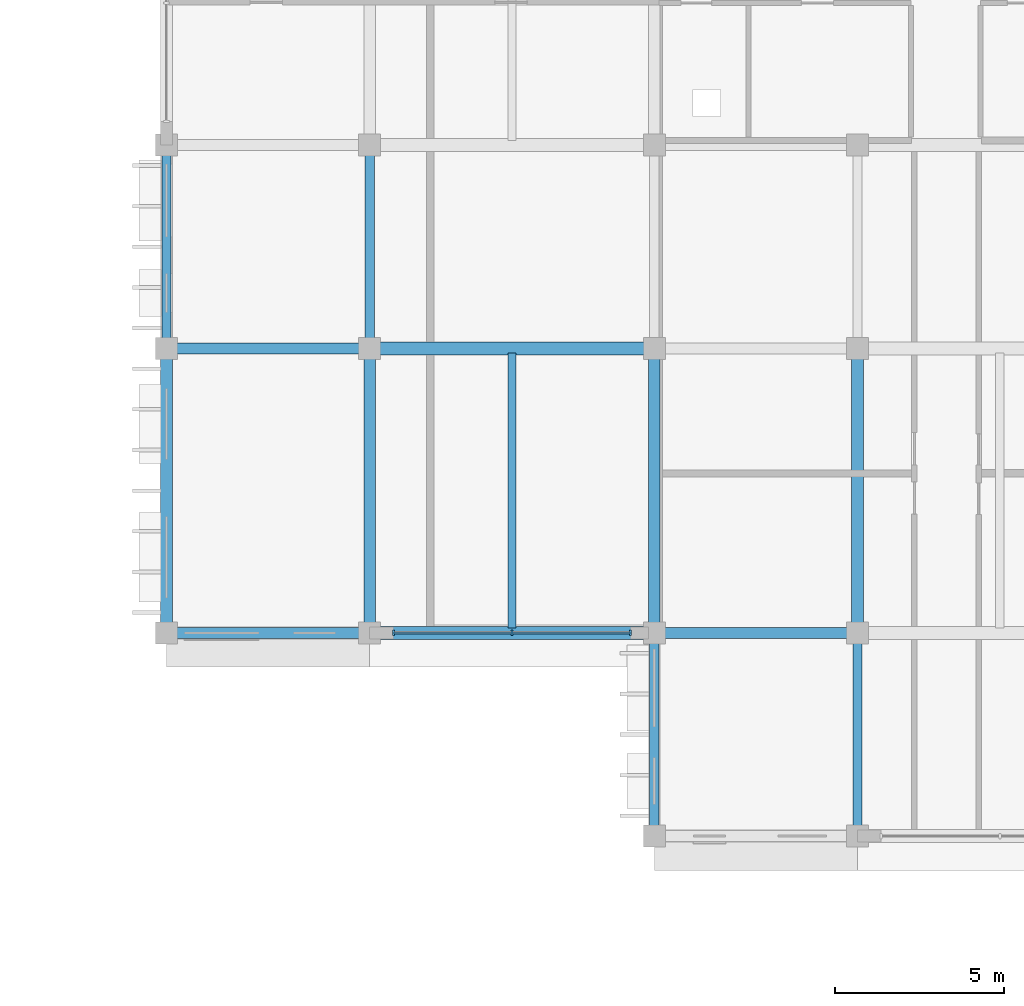
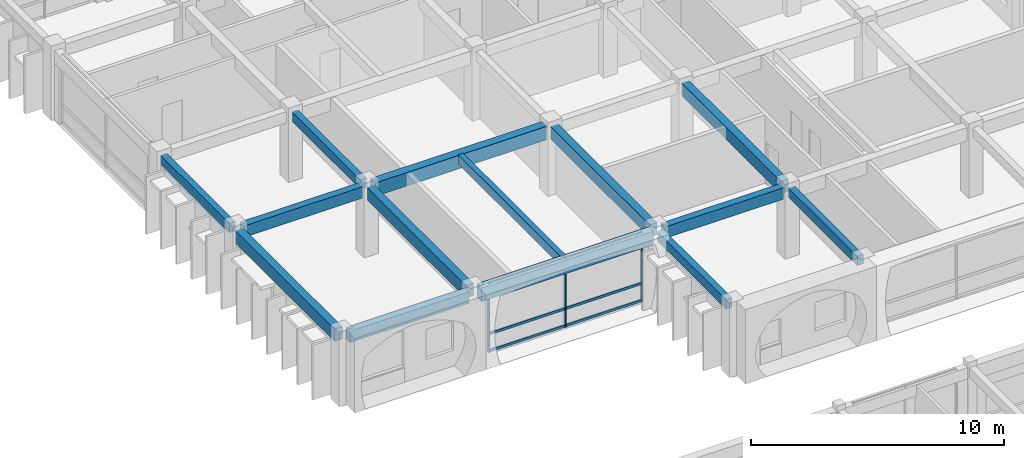
# One storey, part 33 of 88: 14 beams, 6 members, 1 element without a shape of its own.
"""IFC4 building model written with IfcOpenShell, lengths in metres."""

from ifc_helpers import new_model, si_unit, direction, frame, origin, origin_2d, place, context, subcontext, project, spatial, rectangle, extrude, material, material_profile, profile_set, type_object, element, aggregate, save


model = new_model("IFC4")

# Units and contexts
model_context = context("Model", 3, precision=1e-05, world=origin(), true_north=direction((0.0, 1.0)))
body_context = subcontext(model_context, "Body", "Model", "MODEL_VIEW")
ifc_project = project(units=[si_unit("LENGTHUNIT", "METRE"), si_unit("AREAUNIT", "SQUARE_METRE"), si_unit("VOLUMEUNIT", "CUBIC_METRE"), si_unit("PLANEANGLEUNIT", "RADIAN"), si_unit("MASSUNIT", "GRAM", prefix="KILO"), si_unit("THERMODYNAMICTEMPERATUREUNIT", "KELVIN")], contexts=[model_context])

# Site, building, storey
site_placement = place(None, origin())
site = spatial("IfcSite", under=ifc_project, at=site_placement, CompositionType="ELEMENT")
building_placement = place(site_placement, origin())
building = spatial("IfcBuilding", under=site, at=building_placement, Name="Thalorik Housing Commons", CompositionType="ELEMENT")
storey_placement = place(building_placement, frame((0.0, 0.0, 4.5)))
storey = spatial("IfcBuildingStorey", under=building, at=storey_placement, Name="L01", CompositionType="ELEMENT", Elevation=4.5)

# Curtain wall, members
ifc_material_1 = material(Name="Anodised aluminium and solar-control low-E glass", Category="aluminium")
curtain_wall_type = type_object("IfcCurtainWallType", Name="ARC-CW-LOUNGE", PredefinedType="USERDEFINED", material=ifc_material_1)
curtain_wall_placement = place(storey_placement, origin())
curtain_wall = element("IfcCurtainWall", 1, at=curtain_wall_placement, inside=storey, type_object=curtain_wall_type, Name="L01 Curtain Wall CW-RES-L01-D-175", ObjectType="CURTAIN WALL", PredefinedType="USERDEFINED")
ifc_material_2 = material(Name="Anodised aluminium 6063-T6", Category="aluminium")
ifc_material_profile_1 = material_profile(ifc_material_2, rectangle(XDim=0.06005859375, YDim=0.159912109375, at=origin_2d()), Name="ALU MUL 60x160", Category="aluminium")
ifc_profile_set_1 = profile_set([ifc_material_profile_1], Name="Anodised aluminium 6063-T6")
member_type_1 = type_object("IfcMemberType", Name="ARC-CW-MUL-60x160", PredefinedType="MULLION", material=ifc_profile_set_1)
member_1_placement = place(storey_placement, frame((144.699951171875, 43.199951171875, 0.0), z_axis=(0.0, 0.0, 1.0), x_axis=(1.0, 0.0, 0.0)))
member_1 = element("IfcMember", 2, at=member_1_placement, type_object=member_type_1, Name="CW-RES-L01-D-175 Mullion 1", PredefinedType="MULLION", context=body_context, shape_type="SweptSolid", body=[
    extrude(rectangle(XDim=0.06005859375, YDim=0.159912109375, at=origin_2d()), origin(), (0.0, 0.0, 1.0), 3.340087890625),
])
member_2_placement = place(storey_placement, frame((148.199951171875, 43.199951171875, 0.0), z_axis=(0.0, 0.0, 1.0), x_axis=(1.0, 0.0, 0.0)))
member_2 = element("IfcMember", 3, at=member_2_placement, type_object=member_type_1, Name="CW-RES-L01-D-175 Mullion 2", PredefinedType="MULLION", context=body_context, shape_type="SweptSolid", body=[
    extrude(rectangle(XDim=0.06005859375, YDim=0.159912109375, at=origin_2d()), origin(), (0.0, 0.0, 1.0), 3.340087890625),
])
member_3_placement = place(storey_placement, frame((151.699951171875, 43.199951171875, 0.0), z_axis=(0.0, 0.0, 1.0), x_axis=(1.0, 0.0, 0.0)))
member_3 = element("IfcMember", 4, at=member_3_placement, type_object=member_type_1, Name="CW-RES-L01-D-175 Mullion 3", PredefinedType="MULLION", context=body_context, shape_type="SweptSolid", body=[
    extrude(rectangle(XDim=0.06005859375, YDim=0.159912109375, at=origin_2d()), origin(), (0.0, 0.0, 1.0), 3.340087890625),
])
ifc_material_profile_2 = material_profile(ifc_material_2, rectangle(XDim=0.06005859375, YDim=0.1201171875, at=origin_2d()), Name="ALU TRN 60x120", Category="aluminium")
ifc_profile_set_2 = profile_set([ifc_material_profile_2], Name="Anodised aluminium 6063-T6")
member_type_2 = type_object("IfcMemberType", Name="ARC-CW-TRN-60x120", PredefinedType="USERDEFINED", material=ifc_profile_set_2)
member_4_placement = place(storey_placement, frame((144.699951171875, 43.199951171875, 0.054931640625), z_axis=(1.0, 0.0, 0.0), x_axis=(0.0, 1.0, 0.0)))
member_4 = element("IfcMember", 5, at=member_4_placement, type_object=member_type_2, Name="CW-RES-L01-D-175 Transom 1", ObjectType="TRANSOM", PredefinedType="USERDEFINED", context=body_context, shape_type="SweptSolid", body=[
    extrude(rectangle(XDim=0.06005859375, YDim=0.1201171875, at=origin_2d()), origin(), (0.0, 0.0, 1.0), 7.0),
])
member_5_placement = place(storey_placement, frame((144.699951171875, 43.199951171875, 0.8798828125), z_axis=(1.0, 0.0, 0.0), x_axis=(0.0, 1.0, 0.0)))
member_5 = element("IfcMember", 6, at=member_5_placement, type_object=member_type_2, Name="CW-RES-L01-D-175 Transom 2", ObjectType="TRANSOM", PredefinedType="USERDEFINED", context=body_context, shape_type="SweptSolid", body=[
    extrude(rectangle(XDim=0.06005859375, YDim=0.1201171875, at=origin_2d()), origin(), (0.0, 0.0, 1.0), 7.0),
])
member_6_placement = place(storey_placement, frame((144.699951171875, 43.199951171875, 3.284912109375), z_axis=(1.0, 0.0, 0.0), x_axis=(0.0, 1.0, 0.0)))
member_6 = element("IfcMember", 7, at=member_6_placement, type_object=member_type_2, Name="CW-RES-L01-D-175 Transom 3", ObjectType="TRANSOM", PredefinedType="USERDEFINED", context=body_context, shape_type="SweptSolid", body=[
    extrude(rectangle(XDim=0.06005859375, YDim=0.1201171875, at=origin_2d()), origin(), (0.0, 0.0, 1.0), 7.0),
])
aggregate(curtain_wall, [member_1, member_2, member_3, member_4, member_5, member_6])

# Beams
ifc_material_3 = material(Name="Precast concrete C40/50", Category="concrete")
ifc_material_profile_3 = material_profile(ifc_material_3, rectangle(XDim=0.280029296875, YDim=0.449951171875, at=origin_2d()), Name="PC 280x450", Category="concrete")
ifc_profile_set_3 = profile_set([ifc_material_profile_3], Name="Precast concrete C40/50")
beam_type_1 = type_object("IfcBeamType", Name="STR-BM-PC280x450", PredefinedType="BEAM", material=ifc_profile_set_3)
for number, where, z_axis, x_axis, name in (
    (8, (138.0, 51.875, 3.114990234375), (0.0, 1.0, 0.0), (-1.0, 0.0, 0.0), "L01 Beam B-450"),
    (9, (144.0, 51.875, 3.114990234375), (0.0, 1.0, 0.0), (-1.0, 0.0, 0.0), "L01 Beam B-450"),
    (10, (152.39990234375, 37.47509765625, 3.114990234375), (0.0, 1.0, 0.0), (-1.0, 0.0, 0.0), "L01 Beam B-450"),
    (11, (158.39990234375, 37.47509765625, 3.114990234375), (0.0, 1.0, 0.0), (-1.0, 0.0, 0.0), "L01 Beam B-450"),
):
    element("IfcBeam", number, at=place(storey_placement, frame(where, z_axis=z_axis, x_axis=x_axis)), inside=storey, type_object=beam_type_1, Name=name, PredefinedType="BEAM", context=body_context, shape_type="SweptSolid", body=[
        extrude(rectangle(XDim=0.280029296875, YDim=0.449951171875, at=origin_2d()), origin(), (0.0, 0.0, 1.0), 5.449951171875),
    ])
ifc_material_profile_4 = material_profile(ifc_material_3, rectangle(XDim=0.320068359375, YDim=0.550048828125, at=origin_2d()), Name="PC 320x550", Category="concrete")
ifc_profile_set_4 = profile_set([ifc_material_profile_4], Name="Precast concrete C40/50")
beam_type_2 = type_object("IfcBeamType", Name="STR-BM-PC320x550", PredefinedType="BEAM", material=ifc_profile_set_4)
beam_1_placement = place(storey_placement, frame((138.27490234375, 43.199951171875, 3.06494140625), z_axis=(1.0, 0.0, 0.0), x_axis=(0.0, 1.0, 0.0)))
element("IfcBeam", 12, at=beam_1_placement, inside=storey, type_object=beam_type_2, Name="L01 Beam B-550", PredefinedType="BEAM", context=body_context, shape_type="SweptSolid", body=[
    extrude(rectangle(XDim=0.320068359375, YDim=0.550048828125, at=origin_2d()), origin(), (0.0, 0.0, 1.0), 5.4501953125),
])
beam_2_placement = place(storey_placement, frame((152.675048828125, 43.199951171875, 3.06494140625), z_axis=(1.0, 0.0, 0.0), x_axis=(0.0, 1.0, 0.0)))
element("IfcBeam", 13, at=beam_2_placement, inside=storey, type_object=beam_type_2, Name="L01 Beam B-550", PredefinedType="BEAM", context=body_context, shape_type="SweptSolid", body=[
    extrude(rectangle(XDim=0.320068359375, YDim=0.550048828125, at=origin_2d()), origin(), (0.0, 0.0, 1.0), 5.449951171875),
])
beam_3_placement = place(storey_placement, frame((138.27490234375, 51.60009765625, 3.06494140625), z_axis=(1.0, 0.0, 0.0), x_axis=(0.0, 1.0, 0.0)))
element("IfcBeam", 14, at=beam_3_placement, inside=storey, type_object=beam_type_2, Name="L01 Beam B-550", PredefinedType="BEAM", context=body_context, shape_type="SweptSolid", body=[
    extrude(rectangle(XDim=0.320068359375, YDim=0.550048828125, at=origin_2d()), origin(), (0.0, 0.0, 1.0), 5.4501953125),
])
ifc_material_profile_5 = material_profile(ifc_material_3, rectangle(XDim=0.35009765625, YDim=0.60009765625, at=origin_2d()), Name="PC 350x600", Category="concrete")
ifc_profile_set_5 = profile_set([ifc_material_profile_5], Name="Precast concrete C40/50")
beam_type_3 = type_object("IfcBeamType", Name="STR-BM-PC350x600", PredefinedType="BEAM", material=ifc_profile_set_5)
for number, where, z_axis, x_axis, name in (
    (15, (138.0, 43.47509765625, 3.0400390625), (0.0, 1.0, 0.0), (-1.0, 0.0, 0.0), "L01 Beam B-600"),
    (16, (144.0, 43.47509765625, 3.0400390625), (0.0, 1.0, 0.0), (-1.0, 0.0, 0.0), "L01 Beam B-600"),
    (17, (152.39990234375, 43.47509765625, 3.0400390625), (0.0, 1.0, 0.0), (-1.0, 0.0, 0.0), "L01 Beam B-600"),
    (18, (158.39990234375, 43.47509765625, 3.0400390625), (0.0, 1.0, 0.0), (-1.0, 0.0, 0.0), "L01 Beam B-600"),
):
    element("IfcBeam", number, at=place(storey_placement, frame(where, z_axis=z_axis, x_axis=x_axis)), inside=storey, type_object=beam_type_3, Name=name, PredefinedType="BEAM", context=body_context, shape_type="SweptSolid", body=[
        extrude(rectangle(XDim=0.35009765625, YDim=0.60009765625, at=origin_2d()), origin(), (0.0, 0.0, 1.0), 7.849853515625),
    ])
ifc_material_profile_6 = material_profile(ifc_material_3, rectangle(XDim=0.3798828125, YDim=0.64990234375, at=origin_2d()), Name="PC 380x650", Category="concrete")
ifc_profile_set_6 = profile_set([ifc_material_profile_6], Name="Precast concrete C40/50")
beam_type_4 = type_object("IfcBeamType", Name="STR-BM-PC380x650", PredefinedType="BEAM", material=ifc_profile_set_6)
for number, where, z_axis, x_axis, name in (
    (19, (144.27490234375, 43.199951171875, 3.014892578125), (1.0, 0.0, 0.0), (0.0, 1.0, 0.0), "L01 Beam B-650"),
    (20, (144.27490234375, 51.60009765625, 3.014892578125), (1.0, 0.0, 0.0), (0.0, 1.0, 0.0), "L01 Beam B-650"),
):
    element("IfcBeam", number, at=place(storey_placement, frame(where, z_axis=z_axis, x_axis=x_axis)), inside=storey, type_object=beam_type_4, Name=name, PredefinedType="BEAM", context=body_context, shape_type="SweptSolid", body=[
        extrude(rectangle(XDim=0.3798828125, YDim=0.64990234375, at=origin_2d()), origin(), (0.0, 0.0, 1.0), 7.85009765625),
    ])
ifc_material_profile_7 = material_profile(ifc_material_3, rectangle(XDim=0.239990234375, YDim=0.43994140625, at=origin_2d()), Name="PC JST 240x440", Category="concrete")
ifc_profile_set_7 = profile_set([ifc_material_profile_7], Name="Precast concrete C40/50")
beam_type_5 = type_object("IfcBeamType", Name="STR-JST-PC240x440", PredefinedType="JOIST", material=ifc_profile_set_7)
beam_4_placement = place(storey_placement, frame((148.199951171875, 43.340087890625, 3.1201171875), z_axis=(0.0, 1.0, 0.0), x_axis=(-1.0, 0.0, 0.0)))
element("IfcBeam", 21, at=beam_4_placement, inside=storey, type_object=beam_type_5, Name="L01 Beam J-440", PredefinedType="JOIST", context=body_context, shape_type="SweptSolid", body=[
    extrude(rectangle(XDim=0.239990234375, YDim=0.43994140625, at=origin_2d()), origin(), (0.0, 0.0, 1.0), 8.119873046875),
])

save(model, "model.ifc")
